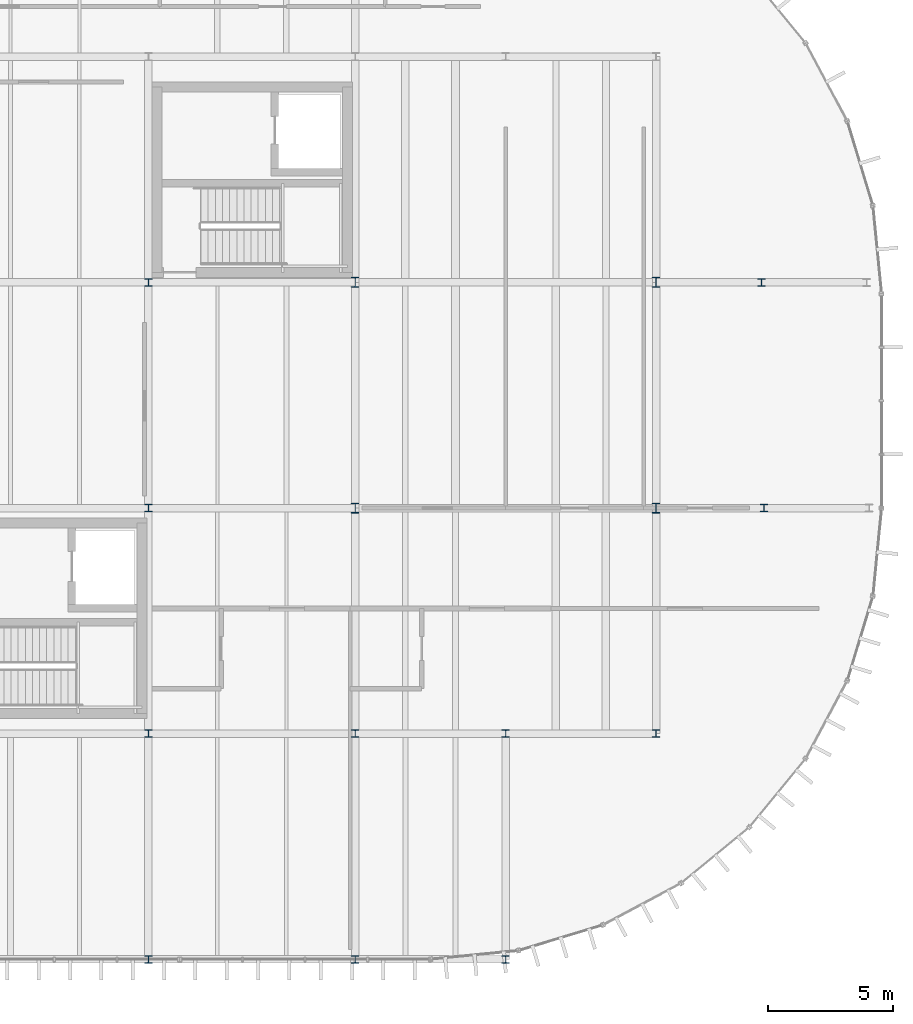
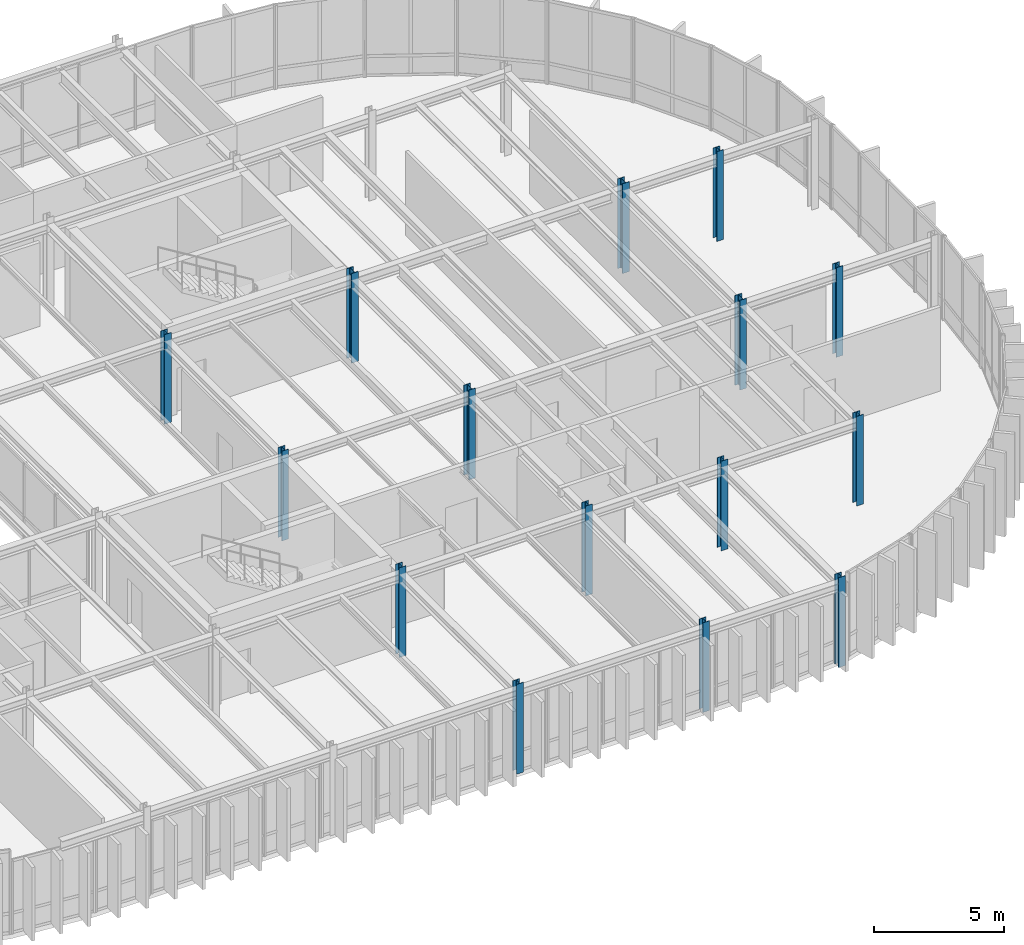
# One storey, part 2 of 27: 15 columns.
"""IFC4 building model written with IfcOpenShell, lengths in metres."""

from ifc_helpers import new_model, si_unit, direction, frame, origin, origin_2d, place, context, subcontext, project, spatial, i_section, extrude, material, material_profile, profile_set, type_object, element, save


model = new_model("IFC4")

# Units and contexts
model_context = context("Model", 3, precision=1e-05, world=origin(), true_north=direction((0.0, 1.0)))
body_context = subcontext(model_context, "Body", "Model", "MODEL_VIEW")
ifc_project = project(units=[si_unit("LENGTHUNIT", "METRE"), si_unit("AREAUNIT", "SQUARE_METRE"), si_unit("VOLUMEUNIT", "CUBIC_METRE"), si_unit("PLANEANGLEUNIT", "RADIAN"), si_unit("MASSUNIT", "GRAM", prefix="KILO")], contexts=[model_context])

# Site, building, storey
site_placement = place(None, origin())
site = spatial("IfcSite", under=ifc_project, at=site_placement, CompositionType="ELEMENT")
building_placement = place(site_placement, origin())
building = spatial("IfcBuilding", under=site, at=building_placement, Name="Montealbar Specialist Clinic", CompositionType="ELEMENT")
storey_placement = place(building_placement, frame((0.0, 0.0, 18.0)))
storey = spatial("IfcBuildingStorey", under=building, at=storey_placement, Name="L04", CompositionType="ELEMENT", Elevation=18.0)

# Columns
ifc_material = material(Name="Steel S355", Category="steel")
ifc_material_profile_1 = material_profile(ifc_material, i_section(OverallWidth=0.300048828125, OverallDepth=0.39990234375, WebThickness=0.013427734375, FlangeThickness=0.02392578125, FilletRadius=0.027099609375, at=origin_2d()), Name="HEB 400", Category="steel")
ifc_profile_set_1 = profile_set([ifc_material_profile_1], Name="Steel S355")
column_type_1 = type_object("IfcColumnType", Name="COL-S-L02-STD", PredefinedType="COLUMN", material=ifc_profile_set_1)
for number, where, z_axis, x_axis, name in (
    (1, (99.0, 18.0, 0.0), (0.0, 0.0, 1.0), (1.0, 0.0, 0.0), "Column 13/C L04"),
    (2, (99.0, 27.0, 0.0), (0.0, 0.0, 1.0), (1.0, 0.0, 0.0), "Column 13/D L04"),
    (3, (111.0, 18.0, 0.0), (0.0, 0.0, 1.0), (1.0, 0.0, 0.0), "Column 15/C L04"),
    (4, (111.0, 27.0, 0.0), (0.0, 0.0, 1.0), (1.0, 0.0, 0.0), "Column 15/D L04"),
):
    element("IfcColumn", number, at=place(storey_placement, frame(where, z_axis=z_axis, x_axis=x_axis)), inside=storey, type_object=column_type_1, Name=name, PredefinedType="COLUMN", context=body_context, shape_type="SweptSolid", body=[
        extrude(i_section(OverallWidth=0.300048828125, OverallDepth=0.39990234375, WebThickness=0.013427734375, FlangeThickness=0.02392578125, FilletRadius=0.027099609375, at=origin_2d()), origin(), (0.0, 0.0, 1.0), 4.199951171875),
    ])
ifc_material_profile_2 = material_profile(ifc_material, i_section(OverallWidth=0.300048828125, OverallDepth=0.300048828125, WebThickness=0.010986328125, FlangeThickness=0.01904296875, FilletRadius=0.027099609375, at=origin_2d()), Name="HEB 300", Category="steel")
ifc_profile_set_2 = profile_set([ifc_material_profile_2], Name="Steel S355")
column_type_2 = type_object("IfcColumnType", Name="COL-S-L04-STD", PredefinedType="COLUMN", material=ifc_profile_set_2)
for number, where, z_axis, x_axis, name in (
    (5, (90.75, 9.0, 0.0), (0.0, 0.0, 1.0), (1.0, 0.0, 0.0), "Column 12/B L04"),
    (6, (90.75, 18.0, 0.0), (0.0, 0.0, 1.0), (1.0, 0.0, 0.0), "Column 12/C L04"),
    (7, (90.75, 27.0, 0.0), (0.0, 0.0, 1.0), (1.0, 0.0, 0.0), "Column 12/D L04"),
    (8, (99.0, 9.0, 0.0), (0.0, 0.0, 1.0), (1.0, 0.0, 0.0), "Column 13/B L04"),
    (9, (105.0, 9.0, 0.0), (0.0, 0.0, 1.0), (1.0, 0.0, 0.0), "Column 14/B L04"),
    (10, (111.0, 9.0, 0.0), (0.0, 0.0, 1.0), (1.0, 0.0, 0.0), "Column 15/B L04"),
    (11, (115.199951171875, 27.0, 0.0), (0.0, 0.0, 1.0), (1.0, 0.0, 0.0), "Column 15A/D L04"),
    (12, (115.300048828125, 18.0, 0.0), (0.0, 0.0, 1.0), (1.0, 0.0, 0.0), "Column 15A/C L04"),
):
    element("IfcColumn", number, at=place(storey_placement, frame(where, z_axis=z_axis, x_axis=x_axis)), inside=storey, type_object=column_type_2, Name=name, PredefinedType="COLUMN", context=body_context, shape_type="SweptSolid", body=[
        extrude(i_section(OverallWidth=0.300048828125, OverallDepth=0.300048828125, WebThickness=0.010986328125, FlangeThickness=0.01904296875, FilletRadius=0.027099609375, at=origin_2d()), origin(), (0.0, 0.0, 1.0), 4.199951171875),
    ])
ifc_material_profile_3 = material_profile(ifc_material, i_section(OverallWidth=0.300048828125, OverallDepth=0.300048828125, WebThickness=0.010986328125, FlangeThickness=0.01904296875, FilletRadius=0.027099609375, at=origin_2d()), Name="HEB 300", Category="steel")
ifc_profile_set_3 = profile_set([ifc_material_profile_3], Name="Steel S355")
column_type_3 = type_object("IfcColumnType", Name="COL-S-L04-STD-EXT", PredefinedType="COLUMN", material=ifc_profile_set_3)
for number, where, z_axis, x_axis, name in (
    (13, (90.75, 0.0, 0.0), (0.0, 0.0, 1.0), (1.0, 0.0, 0.0), "Column 12/A L04"),
    (14, (99.0, 0.0, 0.0), (0.0, 0.0, 1.0), (1.0, 0.0, 0.0), "Column 13/A L04"),
    (15, (105.0, 0.0, 0.0), (0.0, 0.0, 1.0), (1.0, 0.0, 0.0), "Column 14/A L04"),
):
    element("IfcColumn", number, at=place(storey_placement, frame(where, z_axis=z_axis, x_axis=x_axis)), inside=storey, type_object=column_type_3, Name=name, PredefinedType="COLUMN", context=body_context, shape_type="SweptSolid", body=[
        extrude(i_section(OverallWidth=0.300048828125, OverallDepth=0.300048828125, WebThickness=0.010986328125, FlangeThickness=0.01904296875, FilletRadius=0.027099609375, at=origin_2d()), origin(), (0.0, 0.0, 1.0), 4.199951171875),
    ])

save(model, "model.ifc")
